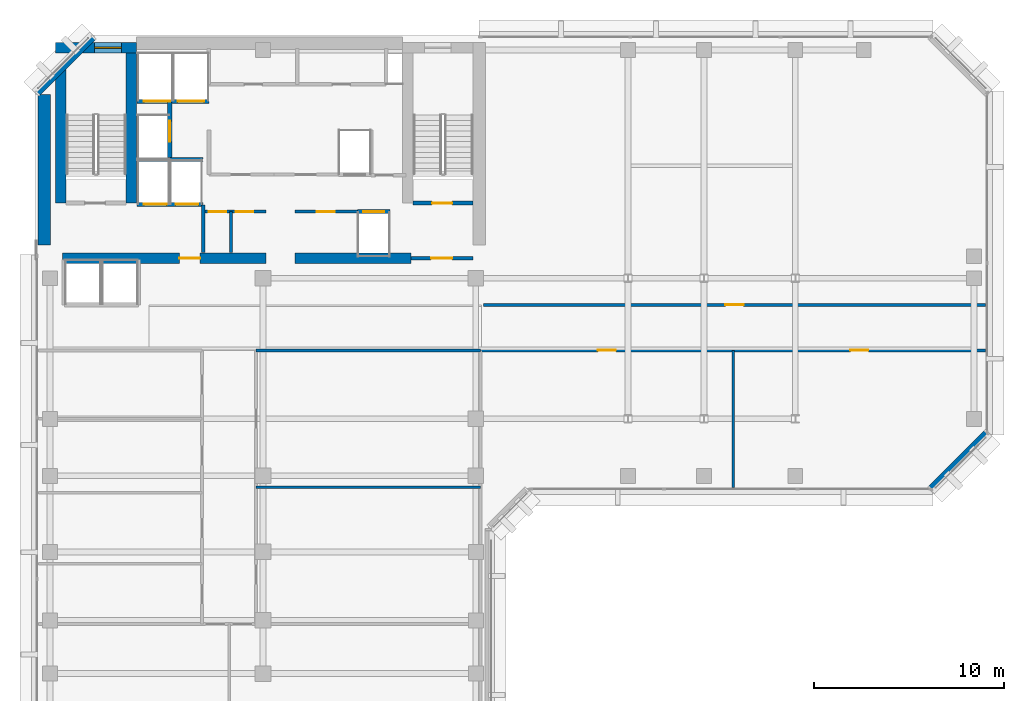
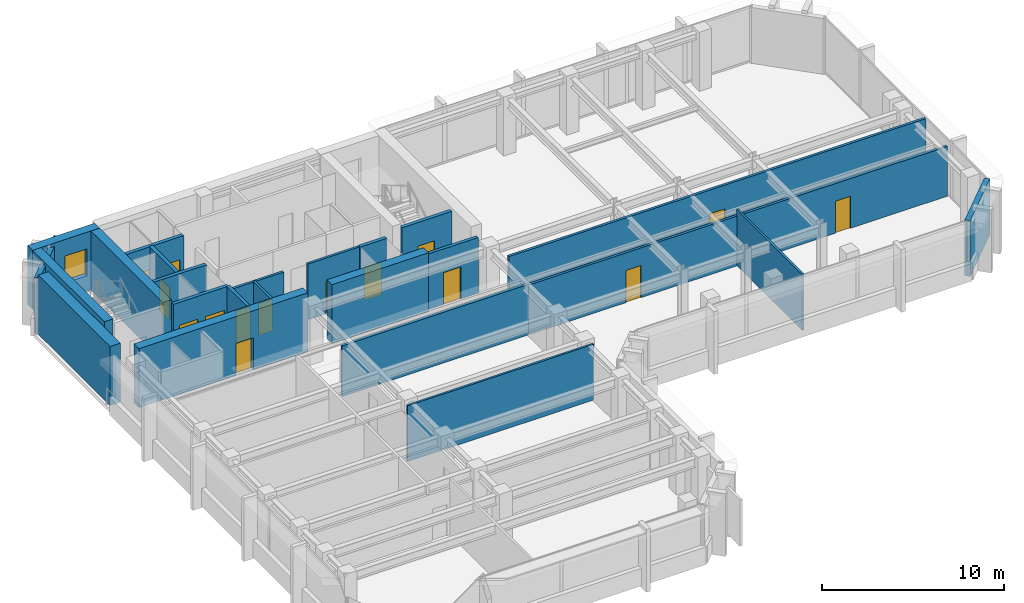
# One storey, part 7 of 12: 24 walls, 15 doors, 1 window, 16 openings.
"""IFC4 building model written with IfcOpenShell, lengths in metres."""

from ifc_helpers import new_model, si_unit, direction, frame, frame_2d, origin, place, context, subcontext, project, spatial, rectangle, extrude, material, layer, layer_set, type_object, element, fill, save


model = new_model("IFC4")

# Units and contexts
model_context = context("Model", 3, precision=1e-05, world=origin(), true_north=direction((0.0, 1.0)))
body_context = subcontext(model_context, "Body", "Model", "MODEL_VIEW")
ifc_project = project(units=[si_unit("LENGTHUNIT", "METRE"), si_unit("AREAUNIT", "SQUARE_METRE"), si_unit("VOLUMEUNIT", "CUBIC_METRE"), si_unit("PLANEANGLEUNIT", "RADIAN"), si_unit("MASSUNIT", "GRAM", prefix="KILO")], contexts=[model_context])

# Site, building, storey
site_placement = place(None, origin())
site = spatial("IfcSite", under=ifc_project, at=site_placement, CompositionType="ELEMENT")
building_placement = place(site_placement, origin())
building = spatial("IfcBuilding", under=site, at=building_placement, Name="Kefirva Bronze Tower", CompositionType="ELEMENT")
storey_placement = place(building_placement, frame((0.0, 0.0, 268.2900390625)))
storey = spatial("IfcBuildingStorey", under=building, at=storey_placement, Name="L65", CompositionType="ELEMENT", Elevation=268.2900390625)

# Walls
ifc_material_1 = material(Name="Gypsum acoustic partition")
ifc_layer_1 = layer(ifc_material_1, 0.1298828125, Name="Gypsum acoustic partition")
ifc_layer_set_1 = layer_set([ifc_layer_1], Name="Gypsum acoustic partition")
wall_type_1 = type_object("IfcWallType", Name="Acoustic Office Partition 130mm", PredefinedType="PARTITIONING", material=ifc_layer_set_1)
wall_1_placement = place(storey_placement, frame((11.639892578125, 22.199951171875, 0.0), z_axis=(0.0, 0.0, 1.0), x_axis=(1.0, 0.0, 0.0)))
element("IfcWall", 1, at=wall_1_placement, inside=storey, type_object=wall_type_1, Name="L65 Partition W-L65-SED1", PredefinedType="PARTITIONING", context=body_context, shape_type="SweptSolid", body=[
    extrude(rectangle(XDim=11.81005859375, YDim=0.1298828125, at=frame_2d((5.905029296875, 0.0))), origin(), (0.0, 0.0, 1.0), 3.739990234375),
])
wall_2_placement = place(storey_placement, frame((36.72998046875, 22.18994140625, 0.0), z_axis=(0.0, 0.0, 1.0), x_axis=(0.0, 1.0, 0.0)))
element("IfcWall", 2, at=wall_2_placement, inside=storey, type_object=wall_type_1, Name="L65 Partition W-L65-ESD1", PredefinedType="PARTITIONING", context=body_context, shape_type="SweptSolid", body=[
    extrude(rectangle(XDim=7.2099609375, YDim=0.1298828125, at=frame_2d((3.60498046875, 0.0))), origin(), (0.0, 0.0, 1.0), 3.739990234375),
])

# Wall, opening, door
ifc_layer_2 = layer(ifc_material_1, 0.14990234375, Name="Gypsum acoustic partition")
ifc_layer_set_2 = layer_set([ifc_layer_2], Name="Gypsum acoustic partition")
wall_type_2 = type_object("IfcWallType", Name="Executive Suite Partition 150mm", PredefinedType="PARTITIONING", material=ifc_layer_set_2)
wall_3_placement = place(storey_placement, frame((13.679931640625, 36.699951171875, 0.0), z_axis=(0.0, 0.0, 1.0), x_axis=(1.0, 0.0, 0.0)))
wall_3 = element("IfcWall", 3, at=wall_3_placement, inside=storey, type_object=wall_type_2, Name="L65 Partition W-L65-RECMP1", PredefinedType="PARTITIONING", context=body_context, shape_type="SweptSolid", body=[
    extrude(rectangle(XDim=3.280029296875, YDim=0.14990234375, at=frame_2d((1.64013671875, 0.0))), origin(), (0.0, 0.0, 1.0), 3.739990234375),
])
opening_1_placement = place(wall_3_placement, frame((1.14990234375, 0.0, 0.0)))
opening_1 = element("IfcOpeningElement", 4, at=opening_1_placement, cuts=wall_3, Name="Opening L65-D-RECMP1", PredefinedType="OPENING", context=body_context, shape_type="SweptSolid", body=[
    extrude(rectangle(XDim=0.949951171875, YDim=2.14990234375, at=frame_2d((0.47509765625, 1.074951171875))), frame((0.0, 0.0849609375, 0.0), z_axis=(0.0, -1.0, 0.0), x_axis=(1.0, 0.0, 0.0)), (0.0, 0.0, 1.0), 0.169921875),
])
ifc_material_2 = material(Name="Acoustic hardwood oak", Category="wood")
door_type_1 = type_object("IfcDoorType", Name="Office & Meeting Room Door 950x2150", OperationType="NOTDEFINED", PredefinedType="DOOR", material=ifc_material_2)
door_1_placement = place(opening_1_placement, origin())
door_1 = element("IfcDoor", 5, at=door_1_placement, inside=storey, type_object=door_type_1, Name="Door L65-D-RECMP1", OperationType="SINGLE_SWING_LEFT", OverallHeight=2.14990234375, OverallWidth=0.949951171875, PredefinedType="DOOR", context=body_context, shape_type="SweptSolid", body=[
    extrude(rectangle(XDim=0.949951171875, YDim=2.14990234375, at=frame_2d((0.47509765625, 1.074951171875))), frame((0.0, 0.02490234375, 0.0), z_axis=(0.0, -1.0, 0.0), x_axis=(1.0, 0.0, 0.0)), (0.0, 0.0, 1.0), 0.050048828125),
])
fill(opening_1, door_1)

ifc_material_3 = material(Name="Gypsum fireboard shaftwall")
ifc_layer_3 = layer(ifc_material_3, 0.219970703125, Name="Gypsum fireboard shaftwall")
ifc_layer_set_3 = layer_set([ifc_layer_3], Name="Gypsum fireboard shaftwall")
wall_type_3 = type_object("IfcWallType", Name="Fire-Rated Shaft Enclosure Wall 220mm", PredefinedType="PARTITIONING", material=ifc_layer_set_3)
wall_4_placement = place(storey_placement, frame((19.89990234375, 37.14990234375, 0.0), z_axis=(0.0, 0.0, 1.0), x_axis=(1.0, 0.0, 0.0)))
wall_4 = element("IfcWall", 6, at=wall_4_placement, inside=storey, type_object=wall_type_3, Name="L65 Partition W-L65-ST2S", PredefinedType="PARTITIONING", context=body_context, shape_type="SweptSolid", body=[
    extrude(rectangle(XDim=3.150146484375, YDim=0.219970703125, at=frame_2d((1.5751953125, 0.0))), origin(), (0.0, 0.0, 1.0), 3.739990234375),
])
opening_2_placement = place(wall_4_placement, frame((2.050048828125, 0.0, 0.0), z_axis=(0.0, 0.0, 1.0), x_axis=(-1.0, 0.0, 0.0)))
opening_2 = element("IfcOpeningElement", 7, at=opening_2_placement, cuts=wall_4, Name="Opening L65-D003", PredefinedType="OPENING", context=body_context, shape_type="SweptSolid", body=[
    extrude(rectangle(XDim=1.050048828125, YDim=2.14990234375, at=frame_2d((0.52490234375, 1.074951171875))), frame((0.0, 0.1201171875, 0.0), z_axis=(0.0, -1.0, 0.0), x_axis=(1.0, 0.0, 0.0)), (0.0, 0.0, 1.0), 0.239990234375),
])
ifc_material_4 = material(Name="Painted galvanized steel", Category="steel")
door_type_2 = type_object("IfcDoorType", Name="Fire Stair Enclosure Door 1050x2150 FD90S", OperationType="NOTDEFINED", PredefinedType="DOOR", material=ifc_material_4)
door_2_placement = place(opening_2_placement, origin())
door_2 = element("IfcDoor", 8, at=door_2_placement, inside=storey, type_object=door_type_2, Name="Door L65-D003", OperationType="SINGLE_SWING_LEFT", OverallHeight=2.14990234375, OverallWidth=1.050048828125, PredefinedType="DOOR", context=body_context, shape_type="SweptSolid", body=[
    extrude(rectangle(XDim=1.050048828125, YDim=2.14990234375, at=frame_2d((0.52490234375, 1.074951171875))), frame((0.0, 0.02490234375, 0.0), z_axis=(0.0, -1.0, 0.0), x_axis=(1.0, 0.0, 0.0)), (0.0, 0.0, 1.0), 0.050048828125),
])
fill(opening_2, door_2)

# Wall, openings, doors
wall_5_placement = place(storey_placement, frame((5.3798828125, 37.080078125, 0.0), z_axis=(0.0, 0.0, 1.0), x_axis=(1.0, 0.0, 0.0)))
wall_5 = element("IfcWall", 9, at=wall_5_placement, inside=storey, type_object=wall_type_3, Name="L65 Partition W-L65-FFS", PredefinedType="PARTITIONING", context=body_context, shape_type="SweptSolid", body=[
    extrude(rectangle(XDim=3.460205078125, YDim=0.219970703125, at=frame_2d((1.72998046875, 0.0))), origin(), (0.0, 0.0, 1.0), 3.739990234375),
])
opening_3_placement = place(wall_5_placement, frame((1.550048828125, 0.0, 0.0), z_axis=(0.0, 0.0, 1.0), x_axis=(-1.0, 0.0, 0.0)))
opening_3 = element("IfcOpeningElement", 10, at=opening_3_placement, cuts=wall_5, Name="Opening L65-LD-FF1", PredefinedType="OPENING", context=body_context, shape_type="SweptSolid", body=[
    extrude(rectangle(XDim=1.199951171875, YDim=2.199951171875, at=frame_2d((0.60009765625, 1.10009765625))), frame((0.0, 0.1201171875, 0.0), z_axis=(0.0, -1.0, 0.0), x_axis=(1.0, 0.0, 0.0)), (0.0, 0.0, 1.0), 0.239990234375),
])
opening_4_placement = place(wall_5_placement, frame((3.219970703125, 0.0, 0.0), z_axis=(0.0, 0.0, 1.0), x_axis=(-1.0, 0.0, 0.0)))
opening_4 = element("IfcOpeningElement", 11, at=opening_4_placement, cuts=wall_5, Name="Opening L65-LD-FF2", PredefinedType="OPENING", context=body_context, shape_type="SweptSolid", body=[
    extrude(rectangle(XDim=1.199951171875, YDim=2.199951171875, at=frame_2d((0.60009765625, 1.10009765625))), frame((0.0, 0.1201171875, 0.0), z_axis=(0.0, -1.0, 0.0), x_axis=(1.0, 0.0, 0.0)), (0.0, 0.0, 1.0), 0.239990234375),
])
ifc_material_5 = material(Name="Stainless steel 316", Category="steel")
door_type_3 = type_object("IfcDoorType", Name="Firefighting Lift Sliding Door 1200x2200", OperationType="SLIDING_TO_RIGHT", PredefinedType="DOOR", material=ifc_material_5)
door_3_placement = place(opening_3_placement, origin())
door_3 = element("IfcDoor", 12, at=door_3_placement, inside=storey, type_object=door_type_3, Name="Door L65-LD-FF1", OperationType="SLIDING_TO_RIGHT", OverallHeight=2.199951171875, OverallWidth=1.199951171875, PredefinedType="DOOR", context=body_context, shape_type="SweptSolid", body=[
    extrude(rectangle(XDim=1.199951171875, YDim=2.199951171875, at=frame_2d((0.60009765625, 1.10009765625))), frame((0.0, 0.02490234375, 0.0), z_axis=(0.0, -1.0, 0.0), x_axis=(1.0, 0.0, 0.0)), (0.0, 0.0, 1.0), 0.050048828125),
])
fill(opening_3, door_3)
door_4_placement = place(opening_4_placement, origin())
door_4 = element("IfcDoor", 13, at=door_4_placement, inside=storey, type_object=door_type_3, Name="Door L65-LD-FF2", OperationType="SLIDING_TO_RIGHT", OverallHeight=2.199951171875, OverallWidth=1.199951171875, PredefinedType="DOOR", context=body_context, shape_type="SweptSolid", body=[
    extrude(rectangle(XDim=1.199951171875, YDim=2.199951171875, at=frame_2d((0.60009765625, 1.10009765625))), frame((0.0, 0.02490234375, 0.0), z_axis=(0.0, -1.0, 0.0), x_axis=(1.0, 0.0, 0.0)), (0.0, 0.0, 1.0), 0.050048828125),
])
fill(opening_4, door_4)

# Wall
wall_6_placement = place(storey_placement, frame((5.3798828125, 39.449951171875, 0.0), z_axis=(0.0, 0.0, 1.0), x_axis=(1.0, 0.0, 0.0)))
element("IfcWall", 14, at=wall_6_placement, inside=storey, type_object=wall_type_3, Name="L65 Partition W-L65-FFN", PredefinedType="PARTITIONING", context=body_context, shape_type="SweptSolid", body=[
    extrude(rectangle(XDim=3.460205078125, YDim=0.219970703125, at=frame_2d((1.72998046875, 0.0))), origin(), (0.0, 0.0, 1.0), 3.739990234375),
])

# Wall, openings, doors
wall_7_placement = place(storey_placement, frame((5.3798828125, 42.5, 0.0), z_axis=(0.0, 0.0, 1.0), x_axis=(1.0, 0.0, 0.0)))
wall_7 = element("IfcWall", 15, at=wall_7_placement, inside=storey, type_object=wall_type_3, Name="L65 Partition W-L65-SVS", PredefinedType="PARTITIONING", context=body_context, shape_type="SweptSolid", body=[
    extrude(rectangle(XDim=3.77001953125, YDim=0.219970703125, at=frame_2d((1.885009765625, 0.0))), origin(), (0.0, 0.0, 1.0), 3.739990234375),
])
opening_5_placement = place(wall_7_placement, frame((1.75, 0.0, 0.0), z_axis=(0.0, 0.0, 1.0), x_axis=(-1.0, 0.0, 0.0)))
opening_5 = element("IfcOpeningElement", 16, at=opening_5_placement, cuts=wall_7, Name="Opening L65-LD-SV1", PredefinedType="OPENING", context=body_context, shape_type="SweptSolid", body=[
    extrude(rectangle(XDim=1.39990234375, YDim=2.199951171875, at=frame_2d((0.699951171875, 1.10009765625))), frame((0.0, 0.1201171875, 0.0), z_axis=(0.0, -1.0, 0.0), x_axis=(1.0, 0.0, 0.0)), (0.0, 0.0, 1.0), 0.239990234375),
])
opening_6_placement = place(wall_7_placement, frame((3.52978515625, 0.0, 0.0), z_axis=(0.0, 0.0, 1.0), x_axis=(-1.0, 0.0, 0.0)))
opening_6 = element("IfcOpeningElement", 17, at=opening_6_placement, cuts=wall_7, Name="Opening L65-LD-SV2", PredefinedType="OPENING", context=body_context, shape_type="SweptSolid", body=[
    extrude(rectangle(XDim=1.39990234375, YDim=2.199951171875, at=frame_2d((0.699951171875, 1.10009765625))), frame((0.0, 0.1201171875, 0.0), z_axis=(0.0, -1.0, 0.0), x_axis=(1.0, 0.0, 0.0)), (0.0, 0.0, 1.0), 0.239990234375),
])
door_type_4 = type_object("IfcDoorType", Name="Goods Lift Bi-Parting Sliding Door 1400x2200", OperationType="SLIDING_TO_LEFT", PredefinedType="DOOR", material=ifc_material_5)
door_5_placement = place(opening_5_placement, origin())
door_5 = element("IfcDoor", 18, at=door_5_placement, inside=storey, type_object=door_type_4, Name="Door L65-LD-SV1", OperationType="SLIDING_TO_LEFT", OverallHeight=2.199951171875, OverallWidth=1.39990234375, PredefinedType="DOOR", context=body_context, shape_type="SweptSolid", body=[
    extrude(rectangle(XDim=1.39990234375, YDim=2.199951171875, at=frame_2d((0.699951171875, 1.10009765625))), frame((0.0, 0.02490234375, 0.0), z_axis=(0.0, -1.0, 0.0), x_axis=(1.0, 0.0, 0.0)), (0.0, 0.0, 1.0), 0.050048828125),
])
fill(opening_5, door_5)
door_6_placement = place(opening_6_placement, origin())
door_6 = element("IfcDoor", 19, at=door_6_placement, inside=storey, type_object=door_type_4, Name="Door L65-LD-SV2", OperationType="SLIDING_TO_LEFT", OverallHeight=2.199951171875, OverallWidth=1.39990234375, PredefinedType="DOOR", context=body_context, shape_type="SweptSolid", body=[
    extrude(rectangle(XDim=1.39990234375, YDim=2.199951171875, at=frame_2d((0.699951171875, 1.10009765625))), frame((0.0, 0.02490234375, 0.0), z_axis=(0.0, -1.0, 0.0), x_axis=(1.0, 0.0, 0.0)), (0.0, 0.0, 1.0), 0.050048828125),
])
fill(opening_6, door_6)

# Wall, opening, door
wall_8_placement = place(storey_placement, frame((7.10009765625, 39.52001953125, 0.0), z_axis=(0.0, 0.0, 1.0), x_axis=(0.0, 1.0, 0.0)))
wall_8 = element("IfcWall", 20, at=wall_8_placement, inside=storey, type_object=wall_type_3, Name="L65 Partition W-L65-HP3E", PredefinedType="PARTITIONING", context=body_context, shape_type="SweptSolid", body=[
    extrude(rectangle(XDim=2.929931640625, YDim=0.219970703125, at=frame_2d((1.46484375, 0.0))), origin(), (0.0, 0.0, 1.0), 3.739990234375),
])
opening_7_placement = place(wall_8_placement, frame((0.85009765625, 0.0, 0.0)))
opening_7 = element("IfcOpeningElement", 21, at=opening_7_placement, cuts=wall_8, Name="Opening L65-LD-HP3", PredefinedType="OPENING", context=body_context, shape_type="SweptSolid", body=[
    extrude(rectangle(XDim=1.10009765625, YDim=2.199951171875, at=frame_2d((0.550048828125, 1.10009765625))), frame((0.0, 0.1201171875, 0.0), z_axis=(0.0, -1.0, 0.0), x_axis=(1.0, 0.0, 0.0)), (0.0, 0.0, 1.0), 0.239990234375),
])
door_type_5 = type_object("IfcDoorType", Name="Passenger Lift Sliding Landing Door 1100x2200", OperationType="SLIDING_TO_LEFT", PredefinedType="DOOR", material=ifc_material_5)
door_7_placement = place(opening_7_placement, origin())
door_7 = element("IfcDoor", 22, at=door_7_placement, inside=storey, type_object=door_type_5, Name="Door L65-LD-HP3", OperationType="SLIDING_TO_LEFT", OverallHeight=2.199951171875, OverallWidth=1.10009765625, PredefinedType="DOOR", context=body_context, shape_type="SweptSolid", body=[
    extrude(rectangle(XDim=1.10009765625, YDim=2.199951171875, at=frame_2d((0.550048828125, 1.10009765625))), frame((0.0, 0.02490234375, 0.0), z_axis=(0.0, -1.0, 0.0), x_axis=(1.0, 0.0, 0.0)), (0.0, 0.0, 1.0), 0.050048828125),
])
fill(opening_7, door_7)

wall_9_placement = place(storey_placement, frame((16.97998046875, 36.699951171875, 0.0), z_axis=(0.0, 0.0, 1.0), x_axis=(1.0, 0.0, 0.0)))
wall_9 = element("IfcWall", 23, at=wall_9_placement, inside=storey, type_object=wall_type_3, Name="L65 Partition W-L65-HPS", PredefinedType="PARTITIONING", context=body_context, shape_type="SweptSolid", body=[
    extrude(rectangle(XDim=1.699951171875, YDim=0.219970703125, at=frame_2d((0.85009765625, 0.0))), origin(), (0.0, 0.0, 1.0), 3.739990234375),
])
opening_8_placement = place(wall_9_placement, frame((0.300048828125, 0.0, 0.0)))
opening_8 = element("IfcOpeningElement", 24, at=opening_8_placement, cuts=wall_9, Name="Opening L65-LD-HP1", PredefinedType="OPENING", context=body_context, shape_type="SweptSolid", body=[
    extrude(rectangle(XDim=1.10009765625, YDim=2.199951171875, at=frame_2d((0.550048828125, 1.10009765625))), frame((0.0, 0.1201171875, 0.0), z_axis=(0.0, -1.0, 0.0), x_axis=(1.0, 0.0, 0.0)), (0.0, 0.0, 1.0), 0.239990234375),
])
door_8_placement = place(opening_8_placement, origin())
door_8 = element("IfcDoor", 25, at=door_8_placement, inside=storey, type_object=door_type_5, Name="Door L65-LD-HP1", OperationType="SLIDING_TO_LEFT", OverallHeight=2.199951171875, OverallWidth=1.10009765625, PredefinedType="DOOR", context=body_context, shape_type="SweptSolid", body=[
    extrude(rectangle(XDim=1.10009765625, YDim=2.199951171875, at=frame_2d((0.550048828125, 1.10009765625))), frame((0.0, 0.02490234375, 0.0), z_axis=(0.0, -1.0, 0.0), x_axis=(1.0, 0.0, 0.0)), (0.0, 0.0, 1.0), 0.050048828125),
])
fill(opening_8, door_8)

# Wall
ifc_material_6 = material(Name="Gypsum fireboard barrier")
ifc_layer_4 = layer(ifc_material_6, 0.199951171875, Name="Gypsum fireboard barrier")
ifc_layer_set_4 = layer_set([ifc_layer_4], Name="Gypsum fireboard barrier")
wall_type_4 = type_object("IfcWallType", Name="Firefighting Lobby Barrier Wall 200mm", PredefinedType="PARTITIONING", material=ifc_layer_set_4)
wall_10_placement = place(storey_placement, frame((8.860107421875, 34.550048828125, 0.0), z_axis=(0.0, 0.0, 1.0), x_axis=(0.0, 1.0, 0.0)))
element("IfcWall", 26, at=wall_10_placement, inside=storey, type_object=wall_type_4, Name="L65 Partition W-L65-FFLE", PredefinedType="PARTITIONING", context=body_context, shape_type="SweptSolid", body=[
    extrude(rectangle(XDim=2.5, YDim=0.199951171875, at=frame_2d((1.25, 0.0))), origin(), (0.0, 0.0, 1.0), 3.739990234375),
])

# Wall, opening, door
wall_11_placement = place(storey_placement, frame((19.800048828125, 34.25, 0.0), z_axis=(0.0, 0.0, 1.0), x_axis=(1.0, 0.0, 0.0)))
wall_11 = element("IfcWall", 27, at=wall_11_placement, inside=storey, type_object=wall_type_4, Name="L65 Partition W-L65-ST2F", PredefinedType="PARTITIONING", context=body_context, shape_type="SweptSolid", body=[
    extrude(rectangle(XDim=3.25, YDim=0.199951171875, at=frame_2d((1.625, 0.0))), origin(), (0.0, 0.0, 1.0), 3.739990234375),
])
opening_9_placement = place(wall_11_placement, frame((2.150146484375, 0.0, 0.0), z_axis=(0.0, 0.0, 1.0), x_axis=(-1.0, 0.0, 0.0)))
opening_9 = element("IfcOpeningElement", 28, at=opening_9_placement, cuts=wall_11, Name="Opening L65-D004", PredefinedType="OPENING", context=body_context, shape_type="SweptSolid", body=[
    extrude(rectangle(XDim=1.10009765625, YDim=2.14990234375, at=frame_2d((0.550048828125, 1.074951171875))), frame((0.0, 0.10986328125, 0.0), z_axis=(0.0, -1.0, 0.0), x_axis=(1.0, 0.0, 0.0)), (0.0, 0.0, 1.0), 0.219970703125),
])
door_type_6 = type_object("IfcDoorType", Name="Firefighting Lobby Smoke Door 1100x2150 FD60S", OperationType="NOTDEFINED", PredefinedType="DOOR", material=ifc_material_4)
door_9_placement = place(opening_9_placement, origin())
door_9 = element("IfcDoor", 29, at=door_9_placement, inside=storey, type_object=door_type_6, Name="Door L65-D004", OperationType="SINGLE_SWING_RIGHT", OverallHeight=2.14990234375, OverallWidth=1.10009765625, PredefinedType="DOOR", context=body_context, shape_type="SweptSolid", body=[
    extrude(rectangle(XDim=1.10009765625, YDim=2.14990234375, at=frame_2d((0.550048828125, 1.074951171875))), frame((0.0, 0.02490234375, 0.0), z_axis=(0.0, -1.0, 0.0), x_axis=(1.0, 0.0, 0.0)), (0.0, 0.0, 1.0), 0.050048828125),
])
fill(opening_9, door_9)

# Walls
ifc_material_7 = material(Name="Precast concrete C40/50", Category="concrete")
ifc_layer_5 = layer(ifc_material_7, 0.320068359375, Name="Precast concrete C40/50")
ifc_layer_set_5 = layer_set([ifc_layer_5], Name="Precast concrete C40/50")
wall_type_5 = type_object("IfcWallType", Name="Precast Insulated Exterior Wall 320mm", PredefinedType="SOLIDWALL", material=ifc_layer_set_5)
for number, where, z_axis, x_axis, name in (
    (30, (47.125732421875, 22.152099609375, 0.0), (0.0, 0.0, 1.0), (0.707136318428, 0.707077242712, 0.0), "L65 Exterior Facade Wall 4"),
    (31, (3.07421875, 45.847900390625, 0.0), (0.0, 0.0, 1.0), (-0.707106781187, -0.707106781187, 0.0), "L65 Exterior Facade Wall 6"),
):
    element("IfcWall", number, at=place(storey_placement, frame(where, z_axis=z_axis, x_axis=x_axis)), inside=storey, type_object=wall_type_5, Name=name, PredefinedType="SOLIDWALL", context=body_context, shape_type="SweptSolid", body=[
        extrude(rectangle(XDim=4.132568359375, YDim=0.320068359375, at=frame_2d((2.06640625, 0.0))), origin(), (0.0, 0.0, 1.0), 3.739990234375),
    ])

# Wall, openings, doors
ifc_layer_6 = layer(ifc_material_1, 0.159912109375, Name="Gypsum acoustic partition")
ifc_layer_set_6 = layer_set([ifc_layer_6], Name="Gypsum acoustic partition")
wall_type_6 = type_object("IfcWallType", Name="Protected Corridor Partition 160mm", PredefinedType="PARTITIONING", material=ifc_layer_set_6)
wall_12_placement = place(storey_placement, frame((8.89990234375, 36.699951171875, 0.0), z_axis=(0.0, 0.0, 1.0), x_axis=(1.0, 0.0, 0.0)))
wall_12 = element("IfcWall", 32, at=wall_12_placement, inside=storey, type_object=wall_type_6, Name="L65 Partition W-L65-RECLP1", PredefinedType="PARTITIONING", context=body_context, shape_type="SweptSolid", body=[
    extrude(rectangle(XDim=3.25, YDim=0.159912109375, at=frame_2d((1.625, 0.0))), origin(), (0.0, 0.0, 1.0), 3.739990234375),
])
opening_10_placement = place(wall_12_placement, frame((0.260009765625, 0.0, 0.0)))
opening_10 = element("IfcOpeningElement", 33, at=opening_10_placement, cuts=wall_12, Name="Opening L65-D-RECLP1A", PredefinedType="OPENING", context=body_context, shape_type="SweptSolid", body=[
    extrude(rectangle(XDim=0.89990234375, YDim=2.14990234375, at=frame_2d((0.449951171875, 1.074951171875))), frame((0.0, 0.08984375, 0.0), z_axis=(0.0, -1.0, 0.0), x_axis=(1.0, 0.0, 0.0)), (0.0, 0.0, 1.0), 0.179931640625),
])
opening_11_placement = place(wall_12_placement, frame((1.679931640625, 0.0, 0.0)))
opening_11 = element("IfcOpeningElement", 34, at=opening_11_placement, cuts=wall_12, Name="Opening L65-D-RECLP1B", PredefinedType="OPENING", context=body_context, shape_type="SweptSolid", body=[
    extrude(rectangle(XDim=0.89990234375, YDim=2.14990234375, at=frame_2d((0.449951171875, 1.074951171875))), frame((0.0, 0.08984375, 0.0), z_axis=(0.0, -1.0, 0.0), x_axis=(1.0, 0.0, 0.0)), (0.0, 0.0, 1.0), 0.179931640625),
])
door_type_7 = type_object("IfcDoorType", Name="Core Archive & Server Fire Door 900x2150 FD60S", OperationType="NOTDEFINED", PredefinedType="DOOR", material=ifc_material_4)
door_10_placement = place(opening_10_placement, origin())
door_10 = element("IfcDoor", 35, at=door_10_placement, inside=storey, type_object=door_type_7, Name="Door L65-D-RECLP1A", OperationType="SINGLE_SWING_RIGHT", OverallHeight=2.14990234375, OverallWidth=0.89990234375, PredefinedType="DOOR", context=body_context, shape_type="SweptSolid", body=[
    extrude(rectangle(XDim=0.89990234375, YDim=2.14990234375, at=frame_2d((0.449951171875, 1.074951171875))), frame((0.0, 0.02490234375, 0.0), z_axis=(0.0, -1.0, 0.0), x_axis=(1.0, 0.0, 0.0)), (0.0, 0.0, 1.0), 0.050048828125),
])
fill(opening_10, door_10)
door_11_placement = place(opening_11_placement, origin())
door_11 = element("IfcDoor", 36, at=door_11_placement, inside=storey, type_object=door_type_7, Name="Door L65-D-RECLP1B", OperationType="SINGLE_SWING_LEFT", OverallHeight=2.14990234375, OverallWidth=0.89990234375, PredefinedType="DOOR", context=body_context, shape_type="SweptSolid", body=[
    extrude(rectangle(XDim=0.89990234375, YDim=2.14990234375, at=frame_2d((0.449951171875, 1.074951171875))), frame((0.0, 0.02490234375, 0.0), z_axis=(0.0, -1.0, 0.0), x_axis=(1.0, 0.0, 0.0)), (0.0, 0.0, 1.0), 0.050048828125),
])
fill(opening_11, door_11)

# Walls
wall_13_placement = place(storey_placement, frame((10.320068359375, 34.550048828125, 0.0), z_axis=(0.0, 0.0, 1.0), x_axis=(0.0, 1.0, 0.0)))
element("IfcWall", 37, at=wall_13_placement, inside=storey, type_object=wall_type_6, Name="L65 Partition W-L65-RECLP1D", PredefinedType="PARTITIONING", context=body_context, shape_type="SweptSolid", body=[
    extrude(rectangle(XDim=2.14990234375, YDim=0.159912109375, at=frame_2d((1.074951171875, 0.0))), origin(), (0.0, 0.0, 1.0), 3.739990234375),
])
wall_14_placement = place(storey_placement, frame((11.639892578125, 29.39990234375, 0.0), z_axis=(0.0, 0.0, 1.0), x_axis=(1.0, 0.0, 0.0)))
element("IfcWall", 38, at=wall_14_placement, inside=storey, type_object=wall_type_6, Name="L65 Partition W-L65-NET", PredefinedType="PARTITIONING", context=body_context, shape_type="SweptSolid", body=[
    extrude(rectangle(XDim=11.81005859375, YDim=0.159912109375, at=frame_2d((5.905029296875, 0.0))), origin(), (0.0, 0.0, 1.0), 3.39501953125),
])

# Wall, openings, doors
wall_15_placement = place(storey_placement, frame((23.449951171875, 29.39990234375, 0.0), z_axis=(0.0, 0.0, 1.0), x_axis=(1.0, 0.0, 0.0)))
wall_15 = element("IfcWall", 39, at=wall_15_placement, inside=storey, type_object=wall_type_6, Name="L65 Partition W-L65-EWS", PredefinedType="PARTITIONING", context=body_context, shape_type="SweptSolid", body=[
    extrude(rectangle(XDim=26.56005859375, YDim=0.159912109375, at=frame_2d((13.280029296875, 0.0))), origin(), (0.0, 0.0, 1.0), 3.3349609375),
])
opening_12_placement = place(wall_15_placement, frame((7.114990234375, 0.0, 0.0), z_axis=(0.0, 0.0, 1.0), x_axis=(-1.0, 0.0, 0.0)))
opening_12 = element("IfcOpeningElement", 40, at=opening_12_placement, cuts=wall_15, Name="Opening L65-D-ES1", PredefinedType="OPENING", context=body_context, shape_type="SweptSolid", body=[
    extrude(rectangle(XDim=0.949951171875, YDim=2.14990234375, at=frame_2d((0.47509765625, 1.074951171875))), frame((0.0, 0.08984375, 0.0), z_axis=(0.0, -1.0, 0.0), x_axis=(1.0, 0.0, 0.0)), (0.0, 0.0, 1.0), 0.179931640625),
])
opening_13_placement = place(wall_15_placement, frame((20.39501953125, 0.0, 0.0), z_axis=(0.0, 0.0, 1.0), x_axis=(-1.0, 0.0, 0.0)))
opening_13 = element("IfcOpeningElement", 41, at=opening_13_placement, cuts=wall_15, Name="Opening L65-D-ES2", PredefinedType="OPENING", context=body_context, shape_type="SweptSolid", body=[
    extrude(rectangle(XDim=0.949951171875, YDim=2.14990234375, at=frame_2d((0.47509765625, 1.074951171875))), frame((0.0, 0.08984375, 0.0), z_axis=(0.0, -1.0, 0.0), x_axis=(1.0, 0.0, 0.0)), (0.0, 0.0, 1.0), 0.179931640625),
])
door_12_placement = place(opening_12_placement, origin())
door_12 = element("IfcDoor", 42, at=door_12_placement, inside=storey, type_object=door_type_1, Name="Door L65-D-ES1", OperationType="SINGLE_SWING_LEFT", OverallHeight=2.14990234375, OverallWidth=0.949951171875, PredefinedType="DOOR", context=body_context, shape_type="SweptSolid", body=[
    extrude(rectangle(XDim=0.949951171875, YDim=2.14990234375, at=frame_2d((0.47509765625, 1.074951171875))), frame((0.0, 0.02490234375, 0.0), z_axis=(0.0, -1.0, 0.0), x_axis=(1.0, 0.0, 0.0)), (0.0, 0.0, 1.0), 0.050048828125),
])
fill(opening_12, door_12)
door_13_placement = place(opening_13_placement, origin())
door_13 = element("IfcDoor", 43, at=door_13_placement, inside=storey, type_object=door_type_1, Name="Door L65-D-ES2", OperationType="SINGLE_SWING_RIGHT", OverallHeight=2.14990234375, OverallWidth=0.949951171875, PredefinedType="DOOR", context=body_context, shape_type="SweptSolid", body=[
    extrude(rectangle(XDim=0.949951171875, YDim=2.14990234375, at=frame_2d((0.47509765625, 1.074951171875))), frame((0.0, 0.02490234375, 0.0), z_axis=(0.0, -1.0, 0.0), x_axis=(1.0, 0.0, 0.0)), (0.0, 0.0, 1.0), 0.050048828125),
])
fill(opening_13, door_13)

# Wall, opening, door
wall_16_placement = place(storey_placement, frame((23.60009765625, 31.800048828125, 0.0), z_axis=(0.0, 0.0, 1.0), x_axis=(1.0, 0.0, 0.0)))
wall_16 = element("IfcWall", 44, at=wall_16_placement, inside=storey, type_object=wall_type_6, Name="L65 Partition W-L65-EWN", PredefinedType="PARTITIONING", context=body_context, shape_type="SweptSolid", body=[
    extrude(rectangle(XDim=26.409912109375, YDim=0.159912109375, at=frame_2d((13.205078125, 0.0))), origin(), (0.0, 0.0, 1.0), 3.739990234375),
])
opening_14_placement = place(wall_16_placement, frame((12.72998046875, 0.0, 0.0)))
opening_14 = element("IfcOpeningElement", 45, at=opening_14_placement, cuts=wall_16, Name="Opening L65-D-EN1", PredefinedType="OPENING", context=body_context, shape_type="SweptSolid", body=[
    extrude(rectangle(XDim=0.949951171875, YDim=2.14990234375, at=frame_2d((0.47509765625, 1.074951171875))), frame((0.0, 0.08984375, 0.0), z_axis=(0.0, -1.0, 0.0), x_axis=(1.0, 0.0, 0.0)), (0.0, 0.0, 1.0), 0.179931640625),
])
door_14_placement = place(opening_14_placement, origin())
door_14 = element("IfcDoor", 46, at=door_14_placement, inside=storey, type_object=door_type_1, Name="Door L65-D-EN1", OperationType="SINGLE_SWING_LEFT", OverallHeight=2.14990234375, OverallWidth=0.949951171875, PredefinedType="DOOR", context=body_context, shape_type="SweptSolid", body=[
    extrude(rectangle(XDim=0.949951171875, YDim=2.14990234375, at=frame_2d((0.47509765625, 1.074951171875))), frame((0.0, 0.02490234375, 0.0), z_axis=(0.0, -1.0, 0.0), x_axis=(1.0, 0.0, 0.0)), (0.0, 0.0, 1.0), 0.050048828125),
])
fill(opening_14, door_14)

# Wall, opening, window
ifc_material_8 = material(Name="Concrete C50/60", Category="concrete")
ifc_layer_7 = layer(ifc_material_8, 0.550048828125, Name="Concrete C50/60")
ifc_layer_set_7 = layer_set([ifc_layer_7], Name="Concrete C50/60")
wall_type_7 = type_object("IfcWallType", Name="RC Rear Core Exterior Wall 550mm", PredefinedType="SHEAR", material=ifc_layer_set_7)
wall_17_placement = place(storey_placement, frame((1.10009765625, 45.320068359375, 0.0), z_axis=(0.0, 0.0, 1.0), x_axis=(1.0, 0.0, 0.0)))
wall_17 = element("IfcWall", 47, at=wall_17_placement, inside=storey, type_object=wall_type_7, Name="L65 Stair 1 North Shear Wall", PredefinedType="SHEAR", context=body_context, shape_type="SweptSolid", body=[
    extrude(rectangle(XDim=4.239990234375, YDim=0.550048828125, at=frame_2d((2.1201171875, 0.0))), origin(), (0.0, 0.0, 1.0), 3.9599609375),
])
opening_15_placement = place(wall_17_placement, frame((2.050048828125, 0.0, 1.050048828125)))
opening_15 = element("IfcOpeningElement", 48, at=opening_15_placement, cuts=wall_17, Name="Opening WN-03", PredefinedType="OPENING", context=body_context, shape_type="SweptSolid", body=[
    extrude(rectangle(XDim=1.39990234375, YDim=1.800048828125, at=frame_2d((0.699951171875, 0.89990234375))), frame((0.0, 0.28515625, 0.0), z_axis=(0.0, -1.0, 0.0), x_axis=(1.0, 0.0, 0.0)), (0.0, 0.0, 1.0), 0.570068359375),
])
ifc_material_9 = material(Name="Laminated low-E double glazing", Category="glass")
window_type = type_object("IfcWindowType", Name="Rear-Core Stair Daylight Window 1400x1800", PartitioningType="SINGLE_PANEL", PredefinedType="WINDOW", material=ifc_material_9)
window_placement = place(opening_15_placement, origin())
window = element("IfcWindow", 49, at=window_placement, inside=storey, type_object=window_type, Name="L65 Stair 1 Daylight Window", OverallHeight=1.800048828125, OverallWidth=1.39990234375, PartitioningType="SINGLE_PANEL", PredefinedType="WINDOW", context=body_context, shape_type="SweptSolid", body=[
    extrude(rectangle(XDim=1.39990234375, YDim=1.800048828125, at=frame_2d((0.699951171875, 0.89990234375))), frame((0.0, 0.030029296875, 0.0), z_axis=(0.0, -1.0, 0.0), x_axis=(1.0, 0.0, 0.0)), (0.0, 0.0, 1.0), 0.06005859375),
])
fill(opening_15, window)

# Walls
ifc_layer_8 = layer(ifc_material_8, 0.64990234375, Name="Concrete C50/60")
ifc_layer_set_8 = layer_set([ifc_layer_8], Name="Concrete C50/60")
wall_type_8 = type_object("IfcWallType", Name="RC Rear Core Exterior Wall 650mm", PredefinedType="SHEAR", material=ifc_layer_set_8)
wall_18_placement = place(storey_placement, frame((0.5, 34.949951171875, 0.0), z_axis=(0.0, 0.0, 1.0), x_axis=(0.0, 1.0, 0.0)))
element("IfcWall", 50, at=wall_18_placement, inside=storey, type_object=wall_type_8, Name="L65 Rear Core West Shear Wall", PredefinedType="SHEAR", context=body_context, shape_type="SweptSolid", body=[
    extrude(rectangle(XDim=7.900146484375, YDim=0.64990234375, at=frame_2d((3.9501953125, 0.0))), origin(), (0.0, 0.0, 1.0), 3.9599609375),
])
ifc_layer_9 = layer(ifc_material_8, 0.550048828125, Name="Concrete C50/60")
ifc_layer_set_9 = layer_set([ifc_layer_9], Name="Concrete C50/60")
wall_type_9 = type_object("IfcWallType", Name="RC Rear Core Interior Wall 550mm", PredefinedType="SHEAR", material=ifc_layer_set_9)
for number, where, z_axis, x_axis, name in (
    (51, (1.3701171875, 37.14990234375, 0.0), (0.0, 0.0, 1.0), (0.0, 1.0, 0.0), "L65 Stair 1 West Shear Wall"),
    (52, (5.070068359375, 37.14990234375, 0.0), (0.0, 0.0, 1.0), (0.0, 1.0, 0.0), "L65 Stair 1 East Shear Wall"),
):
    element("IfcWall", number, at=place(storey_placement, frame(where, z_axis=z_axis, x_axis=x_axis)), inside=storey, type_object=wall_type_9, Name=name, PredefinedType="SHEAR", context=body_context, shape_type="SweptSolid", body=[
        extrude(rectangle(XDim=7.89013671875, YDim=0.550048828125, at=frame_2d((3.945068359375, 0.0))), origin(), (0.0, 0.0, 1.0), 3.9599609375),
    ])

# Wall, opening, door
ifc_layer_10 = layer(ifc_material_8, 0.64990234375, Name="Concrete C50/60")
ifc_layer_set_10 = layer_set([ifc_layer_10], Name="Concrete C50/60")
wall_type_10 = type_object("IfcWallType", Name="RC Rear Core Interior Wall 650mm", PredefinedType="SHEAR", material=ifc_layer_set_10)
wall_19_placement = place(storey_placement, frame((1.449951171875, 34.25, 0.0), z_axis=(0.0, 0.0, 1.0), x_axis=(1.0, 0.0, 0.0)))
wall_19 = element("IfcWall", 53, at=wall_19_placement, inside=storey, type_object=wall_type_10, Name="L65 Rear Core South-West Shear Wall", PredefinedType="SHEAR", context=body_context, shape_type="SweptSolid", body=[
    extrude(rectangle(XDim=10.7099609375, YDim=0.550048828125, at=frame_2d((5.35498046875, 0.0))), origin(), (0.0, 0.0, 1.0), 3.9599609375),
])
opening_16_placement = place(wall_19_placement, frame((7.25, 0.0, 0.0), z_axis=(0.0, 0.0, 1.0), x_axis=(-1.0, 0.0, 0.0)))
opening_16 = element("IfcOpeningElement", 54, at=opening_16_placement, cuts=wall_19, Name="Opening L65-D002", PredefinedType="OPENING", context=body_context, shape_type="SweptSolid", body=[
    extrude(rectangle(XDim=1.10009765625, YDim=2.14990234375, at=frame_2d((0.550048828125, 1.074951171875))), frame((0.0, 0.28515625, 0.0), z_axis=(0.0, -1.0, 0.0), x_axis=(1.0, 0.0, 0.0)), (0.0, 0.0, 1.0), 0.570068359375),
])
door_15_placement = place(opening_16_placement, origin())
door_15 = element("IfcDoor", 55, at=door_15_placement, inside=storey, type_object=door_type_6, Name="Door L65-D002", OperationType="SINGLE_SWING_RIGHT", OverallHeight=2.14990234375, OverallWidth=1.10009765625, PredefinedType="DOOR", context=body_context, shape_type="SweptSolid", body=[
    extrude(rectangle(XDim=1.10009765625, YDim=2.14990234375, at=frame_2d((0.550048828125, 1.074951171875))), frame((0.0, 0.02490234375, 0.0), z_axis=(0.0, -1.0, 0.0), x_axis=(1.0, 0.0, 0.0)), (0.0, 0.0, 1.0), 0.050048828125),
])
fill(opening_16, door_15)

# Wall
wall_20_placement = place(storey_placement, frame((13.679931640625, 34.25, 0.0), z_axis=(0.0, 0.0, 1.0), x_axis=(1.0, 0.0, 0.0)))
element("IfcWall", 56, at=wall_20_placement, inside=storey, type_object=wall_type_10, Name="L65 Rear Core South-East Shear Wall", PredefinedType="SHEAR", context=body_context, shape_type="SweptSolid", body=[
    extrude(rectangle(XDim=6.1201171875, YDim=0.550048828125, at=frame_2d((3.06005859375, 0.0))), origin(), (0.0, 0.0, 1.0), 3.9599609375),
])

save(model, "model.ifc")
